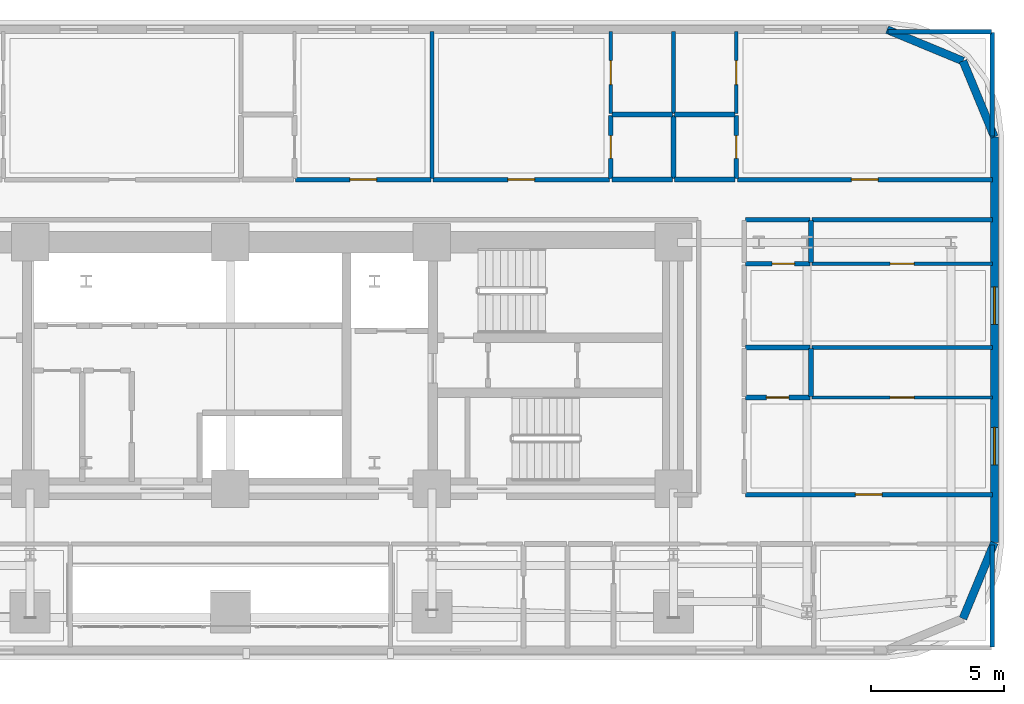
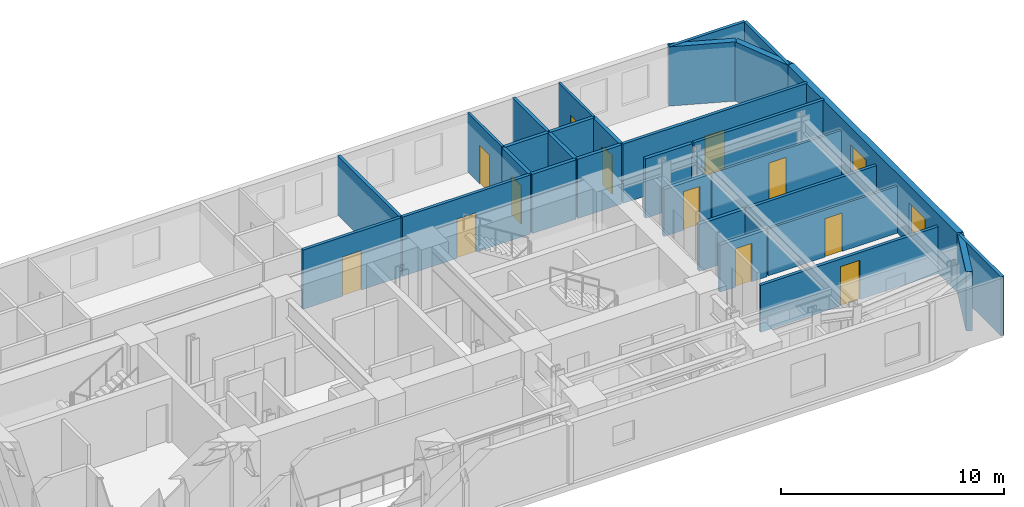
# One storey, part 11 of 16: 32 walls, 12 doors, 2 windows, 14 openings.
"""IFC4 building model written with IfcOpenShell, lengths in metres."""

import ifcopenshell
import ifcopenshell.guid

model = None  # the IFC model being written
_history = None  # IfcOwnerHistory: only IFC2X3 demands one
_inside = {}  # id of a spatial element -> (the spatial element, [elements in it])
_under = {}  # id of a project, library or spatial element -> (it, [spatial elements below it])
_declared = {}  # id of a project -> (the project, [libraries it declares])
_typed = {}  # id of a type object -> (the type object, [elements of that type])
_made_of = {}  # id of a material, layer set ... -> (it, [elements and type objects made of it])


def new_model(schema):
    """Start an empty IFC model of exactly this schema.

    Asked for "IFC4X3", IfcOpenShell would pick the latest addendum, in which some entities
    have other attributes; the version numbers below select the first issue.
    IFC2X3 requires an IfcOwnerHistory on every rooted entity: one is made here for all.
    """
    global model, _history
    if schema == "IFC4X3":
        model = ifcopenshell.file(schema_version=(4, 3, 0, 0))
    else:
        model = ifcopenshell.file(schema=schema)
    _inside.clear()
    _under.clear()
    _declared.clear()
    _typed.clear()
    _made_of.clear()
    _history = None
    if model.schema == "IFC2X3":
        org = make("IfcOrganization", Name="unknown")
        user = make(
            "IfcPersonAndOrganization",
            ThePerson=make("IfcPerson", FamilyName="unknown"),
            TheOrganization=org,
        )
        app = make(
            "IfcApplication",
            ApplicationDeveloper=org,
            Version="unknown",
            ApplicationFullName="unknown",
            ApplicationIdentifier="unknown",
        )
        _history = make(
            "IfcOwnerHistory",
            OwningUser=user,
            OwningApplication=app,
            ChangeAction="ADDED",
            CreationDate=0,
        )
    return model


def make(cls, **values):
    """One entity of the class cls with the attributes given. An attribute that is None is left unset."""
    return model.create_entity(
        cls, **{name: value for name, value in values.items() if value is not None}
    )


def rooted(cls, **values):
    """An entity with a GlobalId (a new one), such as an element, a storey or a relation."""
    return make(cls, GlobalId=ifcopenshell.guid.new(), OwnerHistory=_history, **values)


def si_unit(unit_type, name, prefix=None):
    """IfcSIUnit, for example si_unit("LENGTHUNIT", "METRE", prefix="MILLI")."""
    return make("IfcSIUnit", UnitType=unit_type, Prefix=prefix, Name=name)


def assignment(units):
    """IfcUnitAssignment: the units of a project."""
    return None if units is None else make("IfcUnitAssignment", Units=units)


def point(xyz):
    """IfcCartesianPoint."""
    return None if xyz is None else make("IfcCartesianPoint", Coordinates=xyz)


def direction(xyz):
    """IfcDirection."""
    return None if xyz is None else make("IfcDirection", DirectionRatios=xyz)


def frame(location, z_axis=None, x_axis=None):
    """IfcAxis2Placement3D, a coordinate frame: its origin and axes. An axis left out is left unset."""
    return make(
        "IfcAxis2Placement3D",
        Location=point(location),
        Axis=direction(z_axis),
        RefDirection=direction(x_axis),
    )


def frame_2d(location, x_axis=None):
    """IfcAxis2Placement2D, a coordinate frame in the plane: its origin and x axis."""
    return make(
        "IfcAxis2Placement2D", Location=point(location), RefDirection=direction(x_axis)
    )


def origin():
    """The frame at (0, 0, 0) with its axes left unset."""
    return frame((0.0, 0.0, 0.0))


def place(relative_to, where):
    """IfcLocalPlacement: puts the frame where relative to a parent placement (None: the world)."""
    return make(
        "IfcLocalPlacement", PlacementRelTo=relative_to, RelativePlacement=where
    )


def context(
    kind, dimensions, precision=None, world=None, true_north=None, identifier=None
):
    """IfcGeometricRepresentationContext, for example the 3D "Model" context."""
    return make(
        "IfcGeometricRepresentationContext",
        ContextIdentifier=identifier,
        ContextType=kind,
        CoordinateSpaceDimension=dimensions,
        Precision=precision,
        WorldCoordinateSystem=world,
        TrueNorth=true_north,
    )


def subcontext(parent, identifier, kind, view, scale=None):
    """IfcGeometricRepresentationSubContext, for example "Body" below "Model"."""
    return make(
        "IfcGeometricRepresentationSubContext",
        ContextIdentifier=identifier,
        ContextType=kind,
        ParentContext=parent,
        TargetScale=scale,
        TargetView=view,
    )


def project(units=None, contexts=None):
    """IfcProject with its units and contexts."""
    return rooted(
        "IfcProject",
        Name="project",
        RepresentationContexts=contexts,
        UnitsInContext=assignment(units),
    )


def spatial(cls, under=None, at=None, **own):
    """A site, building, storey or space (cls), placed at a placement, below another one or the project."""
    s = rooted(cls, ObjectPlacement=at, **own)
    if under is not None:
        _under.setdefault(under.id(), (under, []))[1].append(s)
    return s


def profile(cls, at=None, kind="AREA", **sizes):
    """A parametric profile (cls). Its sizes go by their IFC names, for example OverallWidth=200.0."""
    return make(cls, ProfileType=kind, Position=at, **sizes)


def rectangle(**sizes):
    """IfcRectangleProfileDef."""
    return profile("IfcRectangleProfileDef", **sizes)


def extrude(swept, where, along, depth):
    """IfcExtrudedAreaSolid: the profile swept, set in the frame where, extruded along a direction by depth."""
    return make(
        "IfcExtrudedAreaSolid",
        SweptArea=swept,
        Position=where,
        ExtrudedDirection=direction(along),
        Depth=depth,
    )


def shape(context_of_items, identifier, shape_type, items):
    """IfcShapeRepresentation: the items that make up one representation, for example the "Body"."""
    return make(
        "IfcShapeRepresentation",
        ContextOfItems=context_of_items,
        RepresentationIdentifier=identifier,
        RepresentationType=shape_type,
        Items=items,
    )


def material(Name=None, Category=None):
    """IfcMaterial."""
    return make("IfcMaterial", Name=Name, Category=Category)


def layer(
    of_material, thickness, ventilated=None, Name=None, Category=None, Priority=None
):
    """IfcMaterialLayer: one layer of a wall or slab, of a material (None: an air gap)."""
    return make(
        "IfcMaterialLayer",
        Material=of_material,
        LayerThickness=thickness,
        IsVentilated=ventilated,
        Name=Name,
        Category=Category,
        Priority=Priority,
    )


def layer_set(layers, Name=None):
    """IfcMaterialLayerSet."""
    return make("IfcMaterialLayerSet", MaterialLayers=layers, LayerSetName=Name)


def made_of(thing, what):
    """Note that an element or type object is made of a material, layer set ...; save() writes the relation."""
    if what is not None:
        _made_of.setdefault(what.id(), (what, []))[1].append(thing)
    return thing


def type_object(cls, material=None, **own):
    """A type object (cls), such as IfcWallType, which elements share."""
    return made_of(rooted(cls, **own), material)


def element(
    cls,
    number,
    at=None,
    inside=None,
    cuts=None,
    type_object=None,
    material=None,
    context=None,
    identifier="Body",
    shape_type=None,
    held_by="IfcProductDefinitionShape",
    body=None,
    shapes=None,
    **own,
):
    """One element of the class cls, such as IfcWall. Its Tag is "e" and its number.

    at: its placement. inside: the storey or other place that contains it. cuts: it is an
    opening in that element (IfcRelVoidsElement). A single representation is given by context,
    identifier, shape_type and body (its items); several are given by shapes. held_by: the class
    of the entity that holds the representations. save() writes the other relations.
    """
    e = rooted(cls, Tag="e%d" % number, ObjectPlacement=at, **own)
    if body is not None:
        shapes = [shape(context, identifier, shape_type, body)]
    if shapes is not None:
        e.Representation = make(held_by, Representations=shapes)
    if inside is not None:
        _inside.setdefault(inside.id(), (inside, []))[1].append(e)
    if cuts is not None:
        rooted(
            "IfcRelVoidsElement", RelatingBuildingElement=cuts, RelatedOpeningElement=e
        )
    if type_object is not None:
        _typed.setdefault(type_object.id(), (type_object, []))[1].append(e)
    return made_of(e, material)


def fill(opening, filler):
    """IfcRelFillsElement: the door or window that sits in an opening."""
    return rooted(
        "IfcRelFillsElement",
        RelatingOpeningElement=opening,
        RelatedBuildingElement=filler,
    )


def aggregate(whole, parts):
    """IfcRelAggregates: a whole, such as a stair, and the parts it consists of."""
    return rooted("IfcRelAggregates", RelatingObject=whole, RelatedObjects=parts)


def save(model, path):
    """Write the relations noted so far, then the file.

    IfcRelAggregates (storeys below a building ...), IfcRelContainedInSpatialStructure (elements
    in a storey), IfcRelDefinesByType, IfcRelAssociatesMaterial and IfcRelDeclares: one each for
    every whole, place, type object, material and project.
    """
    for whole, parts in _under.values():
        aggregate(whole, parts)
    for where, things in _inside.values():
        rooted(
            "IfcRelContainedInSpatialStructure",
            RelatedElements=things,
            RelatingStructure=where,
        )
    for kind, things in _typed.values():
        rooted("IfcRelDefinesByType", RelatedObjects=things, RelatingType=kind)
    for what, things in _made_of.values():
        rooted("IfcRelAssociatesMaterial", RelatedObjects=things, RelatingMaterial=what)
    for by, libraries in _declared.values():
        rooted("IfcRelDeclares", RelatingContext=by, RelatedDefinitions=libraries)
    model.write(path)


model = new_model("IFC4")

# Units and contexts
model_context = context("Model", 3, precision=1e-05, world=origin(), true_north=direction((0.0, 1.0)))
body_context = subcontext(model_context, "Body", "Model", "MODEL_VIEW")
ifc_project = project(units=[si_unit("LENGTHUNIT", "METRE"), si_unit("AREAUNIT", "SQUARE_METRE"), si_unit("VOLUMEUNIT", "CUBIC_METRE"), si_unit("PLANEANGLEUNIT", "RADIAN"), si_unit("MASSUNIT", "GRAM", prefix="KILO")], contexts=[model_context])

# Site, building, storey
site_placement = place(None, origin())
site = spatial("IfcSite", under=ifc_project, at=site_placement, CompositionType="ELEMENT")
building_placement = place(site_placement, origin())
building = spatial("IfcBuilding", under=site, at=building_placement, Name="Zarnavel Station Tower", CompositionType="ELEMENT")
storey_placement = place(building_placement, frame((0.0, 0.0, 32.5)))
storey = spatial("IfcBuildingStorey", under=building, at=storey_placement, Name="L08", CompositionType="ELEMENT", Elevation=32.5)

# Wall
ifc_material_1 = material(Name="Precast concrete C45/55 (Dark Basalt Finish)", Category="masonry")
ifc_layer_1 = layer(ifc_material_1, 0.300048828125)
ifc_layer_set_1 = layer_set([ifc_layer_1], Name="EW_BASALT_300")
wall_type_1 = type_object("IfcWallType", Name="EW_BASALT_300", PredefinedType="SOLIDWALL", material=ifc_layer_set_1)
wall_1_placement = place(storey_placement, frame((57.419921875, 25.800048828125, 0.0), z_axis=(0.0, 0.0, 1.0), x_axis=(-0.382636798336, -0.92389884758, 0.0)))
element("IfcWall", 1, at=wall_1_placement, inside=storey, type_object=wall_type_1, Name="L08 Exterior Basalt Masonry Frame Wall 02", PredefinedType="SOLIDWALL", context=body_context, shape_type="SweptSolid", body=[
    extrude(rectangle(XDim=3.07666015625, YDim=0.300048828125, at=frame_2d((1.538330078125, 0.0))), origin(), (0.0, 0.0, 1.0), 3.239990234375),
])

# Wall, openings, windows
wall_2_placement = place(storey_placement, frame((57.419921875, 41.0, 0.0), z_axis=(0.0, 0.0, 1.0), x_axis=(0.0, -1.0, 0.0)))
wall_2 = element("IfcWall", 2, at=wall_2_placement, inside=storey, type_object=wall_type_1, Name="L08 Exterior Basalt Masonry Frame Wall 03", PredefinedType="SOLIDWALL", context=body_context, shape_type="SweptSolid", body=[
    extrude(rectangle(XDim=15.199951171875, YDim=0.300048828125, at=frame_2d((7.60009765625, 0.0))), origin(), (0.0, 0.0, 1.0), 3.239990234375),
])
opening_1_placement = place(wall_2_placement, frame((10.882080078125, 0.0, 0.47998046875)))
opening_1 = element("IfcOpeningElement", 3, at=opening_1_placement, cuts=wall_2, Name="Opening WN01", PredefinedType="OPENING", context=body_context, shape_type="SweptSolid", body=[
    extrude(rectangle(XDim=1.39990234375, YDim=1.800048828125, at=frame_2d((0.699951171875, 0.89990234375))), frame((0.0, 0.159912109375, 0.0), z_axis=(0.0, -1.0, 0.0), x_axis=(1.0, 0.0, 0.0)), (0.0, 0.0, 1.0), 0.320068359375),
])
opening_2_placement = place(wall_2_placement, frame((5.62060546875, 0.0, 0.47998046875)))
opening_2 = element("IfcOpeningElement", 4, at=opening_2_placement, cuts=wall_2, Name="Opening WN01", PredefinedType="OPENING", context=body_context, shape_type="SweptSolid", body=[
    extrude(rectangle(XDim=1.39990234375, YDim=1.800048828125, at=frame_2d((0.699951171875, 0.89990234375))), frame((0.0, 0.159912109375, 0.0), z_axis=(0.0, -1.0, 0.0), x_axis=(1.0, 0.0, 0.0)), (0.0, 0.0, 1.0), 0.320068359375),
])
ifc_material_2 = material(Name="Thermally Broken Black Aluminium and Low-E Dark Glass", Category="aluminium")
window_type = type_object("IfcWindowType", Name="WN_1400x1800", PartitioningType="DOUBLE_PANEL_VERTICAL", PredefinedType="WINDOW", material=ifc_material_2)
window_1_placement = place(opening_1_placement, origin())
window_1 = element("IfcWindow", 5, at=window_1_placement, inside=storey, type_object=window_type, Name="L08 Recessed Facade Window 01", OverallHeight=1.800048828125, OverallWidth=1.39990234375, PartitioningType="SINGLE_PANEL", PredefinedType="WINDOW", context=body_context, shape_type="SweptSolid", body=[
    extrude(rectangle(XDim=1.39990234375, YDim=1.800048828125, at=frame_2d((0.699951171875, 0.89990234375))), frame((0.0, 0.030029296875, 0.0), z_axis=(0.0, -1.0, 0.0), x_axis=(1.0, 0.0, 0.0)), (0.0, 0.0, 1.0), 0.06005859375),
])
fill(opening_1, window_1)
window_2_placement = place(opening_2_placement, origin())
window_2 = element("IfcWindow", 6, at=window_2_placement, inside=storey, type_object=window_type, Name="L08 Recessed Facade Window 02", OverallHeight=1.800048828125, OverallWidth=1.39990234375, PartitioningType="SINGLE_PANEL", PredefinedType="WINDOW", context=body_context, shape_type="SweptSolid", body=[
    extrude(rectangle(XDim=1.39990234375, YDim=1.800048828125, at=frame_2d((0.699951171875, 0.89990234375))), frame((0.0, 0.030029296875, 0.0), z_axis=(0.0, -1.0, 0.0), x_axis=(1.0, 0.0, 0.0)), (0.0, 0.0, 1.0), 0.06005859375),
])
fill(opening_2, window_2)

# Walls
wall_3_placement = place(storey_placement, frame((56.24267578125, 43.842529296875, 0.0), z_axis=(0.0, 0.0, 1.0), x_axis=(0.382636798336, -0.92389884758, 0.0)))
element("IfcWall", 7, at=wall_3_placement, inside=storey, type_object=wall_type_1, Name="L08 Exterior Basalt Masonry Frame Wall 04", PredefinedType="SOLIDWALL", context=body_context, shape_type="SweptSolid", body=[
    extrude(rectangle(XDim=3.07666015625, YDim=0.300048828125, at=frame_2d((1.538330078125, 0.0))), origin(), (0.0, 0.0, 1.0), 3.239990234375),
])
wall_4_placement = place(storey_placement, frame((53.39990234375, 45.02001953125, 0.0), z_axis=(0.0, 0.0, 1.0), x_axis=(0.923882414032, -0.382676475685, 0.0)))
element("IfcWall", 8, at=wall_4_placement, inside=storey, type_object=wall_type_1, Name="L08 Exterior Basalt Masonry Frame Wall 05", PredefinedType="SOLIDWALL", context=body_context, shape_type="SweptSolid", body=[
    extrude(rectangle(XDim=3.076904296875, YDim=0.300048828125, at=frame_2d((1.53857421875, 0.0))), origin(), (0.0, 0.0, 1.0), 3.239990234375),
])

# Wall, opening, door
ifc_material_3 = material(Name="Gypsum Twin-Stud Acoustic Fire Partition", Category="concrete")
ifc_layer_2 = layer(ifc_material_3, 0.159912109375)
ifc_layer_set_2 = layer_set([ifc_layer_2], Name="PT_DEMISE_160")
wall_type_2 = type_object("IfcWallType", Name="PT_DEMISE_160", PredefinedType="PARTITIONING", material=ifc_layer_set_2)
wall_5_placement = place(storey_placement, frame((48.090087890625, 27.60009765625, 0.0), z_axis=(0.0, 0.0, 1.0), x_axis=(1.0, 0.0, 0.0)))
wall_5 = element("IfcWall", 9, at=wall_5_placement, inside=storey, type_object=wall_type_2, Name="L08 Partition COR-S-FNE1R", PredefinedType="PARTITIONING", context=body_context, shape_type="SweptSolid", body=[
    extrude(rectangle(XDim=9.25, YDim=0.159912109375, at=frame_2d((4.625, 0.0))), origin(), (0.0, 0.0, 1.0), 2.570068359375),
])
opening_3_placement = place(wall_5_placement, frame((4.125, 0.0, 0.0)))
opening_3 = element("IfcOpeningElement", 10, at=opening_3_placement, cuts=wall_5, Name="Opening FD02", PredefinedType="OPENING", context=body_context, shape_type="SweptSolid", body=[
    extrude(rectangle(XDim=1.0, YDim=2.14990234375, at=frame_2d((0.5, 1.074951171875))), frame((0.0, 0.08984375, 0.0), z_axis=(0.0, -1.0, 0.0), x_axis=(1.0, 0.0, 0.0)), (0.0, 0.0, 1.0), 0.179931640625),
])
ifc_material_4 = material(Name="Painted Galvanised Steel and Hardwood Leaf", Category="steel")
door_type_1 = type_object("IfcDoorType", Name="ID_ENTRY_1000", OperationType="NOTDEFINED", PredefinedType="DOOR", material=ifc_material_4)
door_1_placement = place(opening_3_placement, origin())
door_1 = element("IfcDoor", 11, at=door_1_placement, inside=storey, type_object=door_type_1, Name="L08 Door COR-S-FNE1R", OperationType="SINGLE_SWING_RIGHT", OverallHeight=2.14990234375, OverallWidth=1.0, PredefinedType="DOOR", context=body_context, shape_type="SweptSolid", body=[
    extrude(rectangle(XDim=1.0, YDim=2.14990234375, at=frame_2d((0.5, 1.074951171875))), frame((0.0, 0.02490234375, 0.0), z_axis=(0.0, -1.0, 0.0), x_axis=(1.0, 0.0, 0.0)), (0.0, 0.0, 1.0), 0.050048828125),
])
fill(opening_3, door_1)

# Wall
wall_6_placement = place(storey_placement, frame((50.590087890625, 37.89990234375, 0.0), z_axis=(0.0, 0.0, 1.0), x_axis=(1.0, 0.0, 0.0)))
element("IfcWall", 12, at=wall_6_placement, inside=storey, type_object=wall_type_2, Name="L08 Partition COR-N-FNE2S", PredefinedType="PARTITIONING", context=body_context, shape_type="SweptSolid", body=[
    extrude(rectangle(XDim=6.75, YDim=0.159912109375, at=frame_2d((3.375, 0.0))), origin(), (0.0, 0.0, 1.0), 3.239990234375),
])

# Wall, opening, door
wall_7_placement = place(storey_placement, frame((31.240966796875, 39.39990234375, 0.0), z_axis=(0.0, 0.0, 1.0), x_axis=(1.0, 0.0, 0.0)))
wall_7 = element("IfcWall", 13, at=wall_7_placement, inside=storey, type_object=wall_type_2, Name="L08 Partition COR-N-HN3R", PredefinedType="PARTITIONING", context=body_context, shape_type="SweptSolid", body=[
    extrude(rectangle(XDim=5.069091796875, YDim=0.159912109375, at=frame_2d((2.53466796875, 0.0))), origin(), (0.0, 0.0, 1.0), 3.239990234375),
])
opening_4_placement = place(wall_7_placement, frame((2.034423828125, 0.0, 0.0)))
opening_4 = element("IfcOpeningElement", 14, at=opening_4_placement, cuts=wall_7, Name="Opening FD02", PredefinedType="OPENING", context=body_context, shape_type="SweptSolid", body=[
    extrude(rectangle(XDim=1.0, YDim=2.14990234375, at=frame_2d((0.5, 1.074951171875))), frame((0.0, 0.08984375, 0.0), z_axis=(0.0, -1.0, 0.0), x_axis=(1.0, 0.0, 0.0)), (0.0, 0.0, 1.0), 0.179931640625),
])
door_2_placement = place(opening_4_placement, origin())
door_2 = element("IfcDoor", 15, at=door_2_placement, inside=storey, type_object=door_type_1, Name="L08 Door COR-N-HN3R", OperationType="SINGLE_SWING_RIGHT", OverallHeight=2.14990234375, OverallWidth=1.0, PredefinedType="DOOR", context=body_context, shape_type="SweptSolid", body=[
    extrude(rectangle(XDim=1.0, YDim=2.14990234375, at=frame_2d((0.5, 1.074951171875))), frame((0.0, 0.02490234375, 0.0), z_axis=(0.0, -1.0, 0.0), x_axis=(1.0, 0.0, 0.0)), (0.0, 0.0, 1.0), 0.050048828125),
])
fill(opening_4, door_2)

wall_8_placement = place(storey_placement, frame((36.389892578125, 39.39990234375, 0.0), z_axis=(0.0, 0.0, 1.0), x_axis=(1.0, 0.0, 0.0)))
wall_8 = element("IfcWall", 16, at=wall_8_placement, inside=storey, type_object=wall_type_2, Name="L08 Partition COR-N-HN4R", PredefinedType="PARTITIONING", context=body_context, shape_type="SweptSolid", body=[
    extrude(rectangle(XDim=6.6201171875, YDim=0.159912109375, at=frame_2d((3.31005859375, 0.0))), origin(), (0.0, 0.0, 1.0), 3.239990234375),
])
opening_5_placement = place(wall_8_placement, frame((2.81005859375, 0.0, 0.0)))
opening_5 = element("IfcOpeningElement", 17, at=opening_5_placement, cuts=wall_8, Name="Opening FD02", PredefinedType="OPENING", context=body_context, shape_type="SweptSolid", body=[
    extrude(rectangle(XDim=1.0, YDim=2.14990234375, at=frame_2d((0.5, 1.074951171875))), frame((0.0, 0.08984375, 0.0), z_axis=(0.0, -1.0, 0.0), x_axis=(1.0, 0.0, 0.0)), (0.0, 0.0, 1.0), 0.179931640625),
])
door_3_placement = place(opening_5_placement, origin())
door_3 = element("IfcDoor", 18, at=door_3_placement, inside=storey, type_object=door_type_1, Name="L08 Door COR-N-HN4R", OperationType="SINGLE_SWING_LEFT", OverallHeight=2.14990234375, OverallWidth=1.0, PredefinedType="DOOR", context=body_context, shape_type="SweptSolid", body=[
    extrude(rectangle(XDim=1.0, YDim=2.14990234375, at=frame_2d((0.5, 1.074951171875))), frame((0.0, 0.02490234375, 0.0), z_axis=(0.0, -1.0, 0.0), x_axis=(1.0, 0.0, 0.0)), (0.0, 0.0, 1.0), 0.050048828125),
])
fill(opening_5, door_3)

wall_9_placement = place(storey_placement, frame((47.7900390625, 39.39990234375, 0.0), z_axis=(0.0, 0.0, 1.0), x_axis=(1.0, 0.0, 0.0)))
wall_9 = element("IfcWall", 19, at=wall_9_placement, inside=storey, type_object=wall_type_2, Name="L08 Partition COR-N-HN5R", PredefinedType="PARTITIONING", context=body_context, shape_type="SweptSolid", body=[
    extrude(rectangle(XDim=9.550048828125, YDim=0.159912109375, at=frame_2d((4.77490234375, 0.0))), origin(), (0.0, 0.0, 1.0), 3.239990234375),
])
opening_6_placement = place(wall_9_placement, frame((4.27490234375, 0.0, 0.0)))
opening_6 = element("IfcOpeningElement", 20, at=opening_6_placement, cuts=wall_9, Name="Opening FD02", PredefinedType="OPENING", context=body_context, shape_type="SweptSolid", body=[
    extrude(rectangle(XDim=1.0, YDim=2.14990234375, at=frame_2d((0.5, 1.074951171875))), frame((0.0, 0.08984375, 0.0), z_axis=(0.0, -1.0, 0.0), x_axis=(1.0, 0.0, 0.0)), (0.0, 0.0, 1.0), 0.179931640625),
])
door_4_placement = place(opening_6_placement, origin())
door_4 = element("IfcDoor", 21, at=door_4_placement, inside=storey, type_object=door_type_1, Name="L08 Door COR-N-HN5R", OperationType="SINGLE_SWING_RIGHT", OverallHeight=2.14990234375, OverallWidth=1.0, PredefinedType="DOOR", context=body_context, shape_type="SweptSolid", body=[
    extrude(rectangle(XDim=1.0, YDim=2.14990234375, at=frame_2d((0.5, 1.074951171875))), frame((0.0, 0.02490234375, 0.0), z_axis=(0.0, -1.0, 0.0), x_axis=(1.0, 0.0, 0.0)), (0.0, 0.0, 1.0), 0.050048828125),
])
fill(opening_6, door_4)

# Walls
wall_10_placement = place(storey_placement, frame((50.590087890625, 33.10888671875, 0.0), z_axis=(0.0, 0.0, 1.0), x_axis=(1.0, 0.0, 0.0)))
element("IfcWall", 22, at=wall_10_placement, inside=storey, type_object=wall_type_2, Name="L08 Partition FNE1S-FNE2R", PredefinedType="PARTITIONING", context=body_context, shape_type="SweptSolid", body=[
    extrude(rectangle(XDim=6.75, YDim=0.159912109375, at=frame_2d((3.375, 0.0))), origin(), (0.0, 0.0, 1.0), 2.570068359375),
])
wall_11_placement = place(storey_placement, frame((36.35009765625, 39.43994140625, 0.0), z_axis=(0.0, 0.0, 1.0), x_axis=(0.0, 1.0, 0.0)))
element("IfcWall", 23, at=wall_11_placement, inside=storey, type_object=wall_type_2, Name="L08 Partition HN3R-HN4R", PredefinedType="PARTITIONING", context=body_context, shape_type="SweptSolid", body=[
    extrude(rectangle(XDim=5.5, YDim=0.159912109375, at=frame_2d((2.75, 0.0))), origin(), (0.0, 0.0, 1.0), 3.239990234375),
])
wall_12_placement = place(storey_placement, frame((45.39990234375, 41.8779296875, 0.0), z_axis=(0.0, 0.0, 1.0), x_axis=(0.0, 1.0, 0.0)))
element("IfcWall", 24, at=wall_12_placement, inside=storey, type_object=wall_type_2, Name="L08 Partition HN4S-HN5S", PredefinedType="PARTITIONING", context=body_context, shape_type="SweptSolid", body=[
    extrude(rectangle(XDim=3.06201171875, YDim=0.159912109375, at=frame_2d((1.531005859375, 0.0))), origin(), (0.0, 0.0, 1.0), 3.239990234375),
])
wall_13_placement = place(storey_placement, frame((53.429931640625, 44.93994140625, 0.0), z_axis=(0.0, 0.0, 1.0), x_axis=(1.0, 0.0, 0.0)))
element("IfcWall", 25, at=wall_13_placement, inside=storey, type_object=wall_type_2, Name="L08 Enclosure Wall HN5R", PredefinedType="PARTITIONING", context=body_context, shape_type="SweptSolid", body=[
    extrude(rectangle(XDim=3.880126953125, YDim=0.159912109375, at=frame_2d((1.93994140625, 0.0))), origin(), (0.0, 0.0, 1.0), 3.239990234375),
])
wall_14_placement = place(storey_placement, frame((57.340087890625, 41.030029296875, 0.0), z_axis=(0.0, 0.0, 1.0), x_axis=(0.0, 1.0, 0.0)))
element("IfcWall", 26, at=wall_14_placement, inside=storey, type_object=wall_type_2, Name="L08 Enclosure Wall HN5R", PredefinedType="PARTITIONING", context=body_context, shape_type="SweptSolid", body=[
    extrude(rectangle(XDim=3.8798828125, YDim=0.159912109375, at=frame_2d((1.93994140625, 0.0))), origin(), (0.0, 0.0, 1.0), 3.239990234375),
])
wall_15_placement = place(storey_placement, frame((57.340087890625, 21.889892578125, 0.0), z_axis=(0.0, 0.0, 1.0), x_axis=(0.0, 1.0, 0.0)))
element("IfcWall", 27, at=wall_15_placement, inside=storey, type_object=wall_type_2, Name="L08 Enclosure Wall HE3R", PredefinedType="PARTITIONING", context=body_context, shape_type="SweptSolid", body=[
    extrude(rectangle(XDim=3.830078125, YDim=0.159912109375, at=frame_2d((1.9150390625, 0.0))), origin(), (0.0, 0.0, 1.0), 3.239990234375),
])

# Wall, opening, door
ifc_material_5 = material(Name="Gypsum Metal-Stud Interior Partition", Category="concrete")
ifc_layer_3 = layer(ifc_material_5, 0.1201171875)
ifc_layer_set_3 = layer_set([ifc_layer_3], Name="PT_ROOM_120")
wall_type_3 = type_object("IfcWallType", Name="PT_ROOM_120", PredefinedType="PARTITIONING", material=ifc_layer_set_3)
wall_16_placement = place(storey_placement, frame((50.590087890625, 31.236083984375, 0.0), z_axis=(0.0, 0.0, 1.0), x_axis=(1.0, 0.0, 0.0)))
wall_16 = element("IfcWall", 28, at=wall_16_placement, inside=storey, type_object=wall_type_3, Name="L08 Partition FNE1R-FNE1S", PredefinedType="PARTITIONING", context=body_context, shape_type="SweptSolid", body=[
    extrude(rectangle(XDim=6.75, YDim=0.1201171875, at=frame_2d((3.375, 0.0))), origin(), (0.0, 0.0, 1.0), 2.570068359375),
])
opening_7_placement = place(wall_16_placement, frame((2.925048828125, 0.0, 0.0)))
opening_7 = element("IfcOpeningElement", 29, at=opening_7_placement, cuts=wall_16, Name="Opening ID01", PredefinedType="OPENING", context=body_context, shape_type="SweptSolid", body=[
    extrude(rectangle(XDim=0.89990234375, YDim=2.10009765625, at=frame_2d((0.449951171875, 1.050048828125))), frame((0.0, 0.070068359375, 0.0), z_axis=(0.0, -1.0, 0.0), x_axis=(1.0, 0.0, 0.0)), (0.0, 0.0, 1.0), 0.14013671875),
])
ifc_material_6 = material(Name="Painted Galvanised Steel and Hardwood Leaf", Category="steel")
door_type_2 = type_object("IfcDoorType", Name="ID_ROOM_900", OperationType="NOTDEFINED", PredefinedType="DOOR", material=ifc_material_6)
door_5_placement = place(opening_7_placement, origin())
door_5 = element("IfcDoor", 30, at=door_5_placement, inside=storey, type_object=door_type_2, Name="L08 Door FNE1R-FNE1S", OperationType="SINGLE_SWING_RIGHT", OverallHeight=2.10009765625, OverallWidth=0.89990234375, PredefinedType="DOOR", context=body_context, shape_type="SweptSolid", body=[
    extrude(rectangle(XDim=0.89990234375, YDim=2.10009765625, at=frame_2d((0.449951171875, 1.050048828125))), frame((0.0, 0.02490234375, 0.0), z_axis=(0.0, -1.0, 0.0), x_axis=(1.0, 0.0, 0.0)), (0.0, 0.0, 1.0), 0.050048828125),
])
fill(opening_7, door_5)

wall_17_placement = place(storey_placement, frame((50.590087890625, 36.25, 0.0), z_axis=(0.0, 0.0, 1.0), x_axis=(1.0, 0.0, 0.0)))
wall_17 = element("IfcWall", 31, at=wall_17_placement, inside=storey, type_object=wall_type_3, Name="L08 Partition FNE2R-FNE2S", PredefinedType="PARTITIONING", context=body_context, shape_type="SweptSolid", body=[
    extrude(rectangle(XDim=6.75, YDim=0.1201171875, at=frame_2d((3.375, 0.0))), origin(), (0.0, 0.0, 1.0), 2.570068359375),
])
opening_8_placement = place(wall_17_placement, frame((2.925048828125, 0.0, 0.0)))
opening_8 = element("IfcOpeningElement", 32, at=opening_8_placement, cuts=wall_17, Name="Opening ID01", PredefinedType="OPENING", context=body_context, shape_type="SweptSolid", body=[
    extrude(rectangle(XDim=0.89990234375, YDim=2.10009765625, at=frame_2d((0.449951171875, 1.050048828125))), frame((0.0, 0.070068359375, 0.0), z_axis=(0.0, -1.0, 0.0), x_axis=(1.0, 0.0, 0.0)), (0.0, 0.0, 1.0), 0.14013671875),
])
door_6_placement = place(opening_8_placement, origin())
door_6 = element("IfcDoor", 33, at=door_6_placement, inside=storey, type_object=door_type_2, Name="L08 Door FNE2R-FNE2S", OperationType="SINGLE_SWING_RIGHT", OverallHeight=2.10009765625, OverallWidth=0.89990234375, PredefinedType="DOOR", context=body_context, shape_type="SweptSolid", body=[
    extrude(rectangle(XDim=0.89990234375, YDim=2.10009765625, at=frame_2d((0.449951171875, 1.050048828125))), frame((0.0, 0.02490234375, 0.0), z_axis=(0.0, -1.0, 0.0), x_axis=(1.0, 0.0, 0.0)), (0.0, 0.0, 1.0), 0.050048828125),
])
fill(opening_8, door_6)

wall_18_placement = place(storey_placement, frame((43.050048828125, 41.8779296875, 0.0), z_axis=(0.0, 0.0, 1.0), x_axis=(0.0, 1.0, 0.0)))
wall_18 = element("IfcWall", 34, at=wall_18_placement, inside=storey, type_object=wall_type_3, Name="L08 Partition HN4R-HN4S", PredefinedType="PARTITIONING", context=body_context, shape_type="SweptSolid", body=[
    extrude(rectangle(XDim=3.06201171875, YDim=0.1201171875, at=frame_2d((1.531005859375, 0.0))), origin(), (0.0, 0.0, 1.0), 3.239990234375),
])
opening_9_placement = place(wall_18_placement, frame((1.0810546875, 0.0, 0.0)))
opening_9 = element("IfcOpeningElement", 35, at=opening_9_placement, cuts=wall_18, Name="Opening ID01", PredefinedType="OPENING", context=body_context, shape_type="SweptSolid", body=[
    extrude(rectangle(XDim=0.89990234375, YDim=2.10009765625, at=frame_2d((0.449951171875, 1.050048828125))), frame((0.0, 0.070068359375, 0.0), z_axis=(0.0, -1.0, 0.0), x_axis=(1.0, 0.0, 0.0)), (0.0, 0.0, 1.0), 0.14013671875),
])
door_7_placement = place(opening_9_placement, origin())
door_7 = element("IfcDoor", 36, at=door_7_placement, inside=storey, type_object=door_type_2, Name="L08 Door HN4R-HN4S", OperationType="SINGLE_SWING_RIGHT", OverallHeight=2.10009765625, OverallWidth=0.89990234375, PredefinedType="DOOR", context=body_context, shape_type="SweptSolid", body=[
    extrude(rectangle(XDim=0.89990234375, YDim=2.10009765625, at=frame_2d((0.449951171875, 1.050048828125))), frame((0.0, 0.02490234375, 0.0), z_axis=(0.0, -1.0, 0.0), x_axis=(1.0, 0.0, 0.0)), (0.0, 0.0, 1.0), 0.050048828125),
])
fill(opening_9, door_7)

wall_19_placement = place(storey_placement, frame((47.75, 41.8779296875, 0.0), z_axis=(0.0, 0.0, 1.0), x_axis=(0.0, 1.0, 0.0)))
wall_19 = element("IfcWall", 37, at=wall_19_placement, inside=storey, type_object=wall_type_3, Name="L08 Partition HN5R-HN5S", PredefinedType="PARTITIONING", context=body_context, shape_type="SweptSolid", body=[
    extrude(rectangle(XDim=3.06201171875, YDim=0.1201171875, at=frame_2d((1.531005859375, 0.0))), origin(), (0.0, 0.0, 1.0), 3.239990234375),
])
opening_10_placement = place(wall_19_placement, frame((1.0810546875, 0.0, 0.0)))
opening_10 = element("IfcOpeningElement", 38, at=opening_10_placement, cuts=wall_19, Name="Opening ID01", PredefinedType="OPENING", context=body_context, shape_type="SweptSolid", body=[
    extrude(rectangle(XDim=0.89990234375, YDim=2.10009765625, at=frame_2d((0.449951171875, 1.050048828125))), frame((0.0, 0.070068359375, 0.0), z_axis=(0.0, -1.0, 0.0), x_axis=(1.0, 0.0, 0.0)), (0.0, 0.0, 1.0), 0.14013671875),
])
door_8_placement = place(opening_10_placement, origin())
door_8 = element("IfcDoor", 39, at=door_8_placement, inside=storey, type_object=door_type_2, Name="L08 Door HN5R-HN5S", OperationType="SINGLE_SWING_RIGHT", OverallHeight=2.10009765625, OverallWidth=0.89990234375, PredefinedType="DOOR", context=body_context, shape_type="SweptSolid", body=[
    extrude(rectangle(XDim=0.89990234375, YDim=2.10009765625, at=frame_2d((0.449951171875, 1.050048828125))), frame((0.0, 0.02490234375, 0.0), z_axis=(0.0, -1.0, 0.0), x_axis=(1.0, 0.0, 0.0)), (0.0, 0.0, 1.0), 0.050048828125),
])
fill(opening_10, door_8)

# Walls
ifc_material_7 = material(Name="Moisture-Resistant Plumbing Chase Wall", Category="concrete")
ifc_layer_4 = layer(ifc_material_7, 0.179931640625)
ifc_layer_set_4 = layer_set([ifc_layer_4], Name="PW_PLUMB_180")
wall_type_4 = type_object("IfcWallType", Name="PW_PLUMB_180", PredefinedType="PLUMBINGWALL", material=ifc_layer_set_4)
wall_20_placement = place(storey_placement, frame((48.090087890625, 37.89990234375, 0.0), z_axis=(0.0, 0.0, 1.0), x_axis=(1.0, 0.0, 0.0)))
element("IfcWall", 40, at=wall_20_placement, inside=storey, type_object=wall_type_4, Name="L08 Partition COR-N-FNE2B", PredefinedType="PLUMBINGWALL", context=body_context, shape_type="SweptSolid", body=[
    extrude(rectangle(XDim=2.419921875, YDim=0.179931640625, at=frame_2d((1.2099609375, 0.0))), origin(), (0.0, 0.0, 1.0), 3.239990234375),
])
for number, where, z_axis, x_axis, name in (
    (41, (43.090087890625, 39.39990234375, 0.0), (0.0, 0.0, 1.0), (1.0, 0.0, 0.0), "L08 Partition COR-N-HN4B"),
    (42, (45.43994140625, 39.39990234375, 0.0), (0.0, 0.0, 1.0), (1.0, 0.0, 0.0), "L08 Partition COR-N-HN5B"),
):
    element("IfcWall", number, at=place(storey_placement, frame(where, z_axis=z_axis, x_axis=x_axis)), inside=storey, type_object=wall_type_4, Name=name, PredefinedType="PLUMBINGWALL", context=body_context, shape_type="SweptSolid", body=[
        extrude(rectangle(XDim=2.27001953125, YDim=0.179931640625, at=frame_2d((1.135009765625, 0.0))), origin(), (0.0, 0.0, 1.0), 3.239990234375),
    ])

# Wall, opening, door
wall_21_placement = place(storey_placement, frame((48.090087890625, 31.236083984375, 0.0), z_axis=(0.0, 0.0, 1.0), x_axis=(1.0, 0.0, 0.0)))
wall_21 = element("IfcWall", 43, at=wall_21_placement, inside=storey, type_object=wall_type_4, Name="L08 Partition FNE1R-FNE1B", PredefinedType="PLUMBINGWALL", context=body_context, shape_type="SweptSolid", body=[
    extrude(rectangle(XDim=2.419921875, YDim=0.179931640625, at=frame_2d((1.2099609375, 0.0))), origin(), (0.0, 0.0, 1.0), 2.570068359375),
])
opening_11_placement = place(wall_21_placement, frame((0.784912109375, 0.0, 0.0)))
opening_11 = element("IfcOpeningElement", 44, at=opening_11_placement, cuts=wall_21, Name="Opening ID02", PredefinedType="OPENING", context=body_context, shape_type="SweptSolid", body=[
    extrude(rectangle(XDim=0.85009765625, YDim=2.10009765625, at=frame_2d((0.425048828125, 1.050048828125))), frame((0.0, 0.099853515625, 0.0), z_axis=(0.0, -1.0, 0.0), x_axis=(1.0, 0.0, 0.0)), (0.0, 0.0, 1.0), 0.199951171875),
])
ifc_material_8 = material(Name="Painted Galvanised Steel and Hardwood Leaf", Category="steel")
door_type_3 = type_object("IfcDoorType", Name="ID_BATH_850", OperationType="NOTDEFINED", PredefinedType="DOOR", material=ifc_material_8)
door_9_placement = place(opening_11_placement, origin())
door_9 = element("IfcDoor", 45, at=door_9_placement, inside=storey, type_object=door_type_3, Name="L08 Door FNE1R-FNE1B", OperationType="SINGLE_SWING_LEFT", OverallHeight=2.10009765625, OverallWidth=0.85009765625, PredefinedType="DOOR", context=body_context, shape_type="SweptSolid", body=[
    extrude(rectangle(XDim=0.85009765625, YDim=2.10009765625, at=frame_2d((0.425048828125, 1.050048828125))), frame((0.0, 0.02490234375, 0.0), z_axis=(0.0, -1.0, 0.0), x_axis=(1.0, 0.0, 0.0)), (0.0, 0.0, 1.0), 0.050048828125),
])
fill(opening_11, door_9)

# Walls
wall_22_placement = place(storey_placement, frame((50.550048828125, 31.27587890625, 0.0), z_axis=(0.0, 0.0, 1.0), x_axis=(0.0, 1.0, 0.0)))
element("IfcWall", 46, at=wall_22_placement, inside=storey, type_object=wall_type_4, Name="L08 Partition FNE1B-FNE1S", PredefinedType="PLUMBINGWALL", context=body_context, shape_type="SweptSolid", body=[
    extrude(rectangle(XDim=1.793212890625, YDim=0.179931640625, at=frame_2d((0.896484375, 0.0))), origin(), (0.0, 0.0, 1.0), 2.570068359375),
])
wall_23_placement = place(storey_placement, frame((48.090087890625, 33.10888671875, 0.0), z_axis=(0.0, 0.0, 1.0), x_axis=(1.0, 0.0, 0.0)))
element("IfcWall", 47, at=wall_23_placement, inside=storey, type_object=wall_type_4, Name="L08 Partition FNE1B-FNE2R", PredefinedType="PLUMBINGWALL", context=body_context, shape_type="SweptSolid", body=[
    extrude(rectangle(XDim=2.419921875, YDim=0.179931640625, at=frame_2d((1.2099609375, 0.0))), origin(), (0.0, 0.0, 1.0), 2.570068359375),
])

# Wall, opening, door
wall_24_placement = place(storey_placement, frame((50.510009765625, 36.25, 0.0), z_axis=(0.0, 0.0, 1.0), x_axis=(-1.0, 0.0, 0.0)))
wall_24 = element("IfcWall", 48, at=wall_24_placement, inside=storey, type_object=wall_type_4, Name="L08 Partition FNE2R-FNE2B", PredefinedType="PLUMBINGWALL", context=body_context, shape_type="SweptSolid", body=[
    extrude(rectangle(XDim=2.419921875, YDim=0.179931640625, at=frame_2d((1.2099609375, 0.0))), origin(), (0.0, 0.0, 1.0), 2.570068359375),
])
opening_12_placement = place(wall_24_placement, frame((0.570068359375, 0.0, 0.0)))
opening_12 = element("IfcOpeningElement", 49, at=opening_12_placement, cuts=wall_24, Name="Opening ID02", PredefinedType="OPENING", context=body_context, shape_type="SweptSolid", body=[
    extrude(rectangle(XDim=0.85009765625, YDim=2.10009765625, at=frame_2d((0.425048828125, 1.050048828125))), frame((0.0, 0.099853515625, 0.0), z_axis=(0.0, -1.0, 0.0), x_axis=(1.0, 0.0, 0.0)), (0.0, 0.0, 1.0), 0.199951171875),
])
door_10_placement = place(opening_12_placement, origin())
door_10 = element("IfcDoor", 50, at=door_10_placement, inside=storey, type_object=door_type_3, Name="L08 Door FNE2R-FNE2B", OperationType="SINGLE_SWING_LEFT", OverallHeight=2.10009765625, OverallWidth=0.85009765625, PredefinedType="DOOR", context=body_context, shape_type="SweptSolid", body=[
    extrude(rectangle(XDim=0.85009765625, YDim=2.10009765625, at=frame_2d((0.425048828125, 1.050048828125))), frame((0.0, 0.02490234375, 0.0), z_axis=(0.0, -1.0, 0.0), x_axis=(1.0, 0.0, 0.0)), (0.0, 0.0, 1.0), 0.050048828125),
])
fill(opening_12, door_10)

# Wall
wall_25_placement = place(storey_placement, frame((50.550048828125, 36.2900390625, 0.0), z_axis=(0.0, 0.0, 1.0), x_axis=(0.0, 1.0, 0.0)))
element("IfcWall", 51, at=wall_25_placement, inside=storey, type_object=wall_type_4, Name="L08 Partition FNE2B-FNE2S", PredefinedType="PLUMBINGWALL", context=body_context, shape_type="SweptSolid", body=[
    extrude(rectangle(XDim=1.570068359375, YDim=0.179931640625, at=frame_2d((0.78515625, 0.0))), origin(), (0.0, 0.0, 1.0), 2.570068359375),
])

# Wall, opening, door
wall_26_placement = place(storey_placement, frame((43.050048828125, 39.43994140625, 0.0), z_axis=(0.0, 0.0, 1.0), x_axis=(0.0, 1.0, 0.0)))
wall_26 = element("IfcWall", 52, at=wall_26_placement, inside=storey, type_object=wall_type_4, Name="L08 Partition HN4R-HN4B", PredefinedType="PLUMBINGWALL", context=body_context, shape_type="SweptSolid", body=[
    extrude(rectangle(XDim=2.358154296875, YDim=0.179931640625, at=frame_2d((1.17919921875, 0.0))), origin(), (0.0, 0.0, 1.0), 3.239990234375),
])
opening_13_placement = place(wall_26_placement, frame((0.75390625, 0.0, 0.0)))
opening_13 = element("IfcOpeningElement", 53, at=opening_13_placement, cuts=wall_26, Name="Opening ID02", PredefinedType="OPENING", context=body_context, shape_type="SweptSolid", body=[
    extrude(rectangle(XDim=0.85009765625, YDim=2.10009765625, at=frame_2d((0.425048828125, 1.050048828125))), frame((0.0, 0.099853515625, 0.0), z_axis=(0.0, -1.0, 0.0), x_axis=(1.0, 0.0, 0.0)), (0.0, 0.0, 1.0), 0.199951171875),
])
door_11_placement = place(opening_13_placement, origin())
door_11 = element("IfcDoor", 54, at=door_11_placement, inside=storey, type_object=door_type_3, Name="L08 Door HN4R-HN4B", OperationType="SINGLE_SWING_LEFT", OverallHeight=2.10009765625, OverallWidth=0.85009765625, PredefinedType="DOOR", context=body_context, shape_type="SweptSolid", body=[
    extrude(rectangle(XDim=0.85009765625, YDim=2.10009765625, at=frame_2d((0.425048828125, 1.050048828125))), frame((0.0, 0.02490234375, 0.0), z_axis=(0.0, -1.0, 0.0), x_axis=(1.0, 0.0, 0.0)), (0.0, 0.0, 1.0), 0.050048828125),
])
fill(opening_13, door_11)

# Walls
wall_27_placement = place(storey_placement, frame((43.090087890625, 41.837890625, 0.0), z_axis=(0.0, 0.0, 1.0), x_axis=(1.0, 0.0, 0.0)))
element("IfcWall", 55, at=wall_27_placement, inside=storey, type_object=wall_type_4, Name="L08 Partition HN4B-HN4S", PredefinedType="PLUMBINGWALL", context=body_context, shape_type="SweptSolid", body=[
    extrude(rectangle(XDim=2.27001953125, YDim=0.179931640625, at=frame_2d((1.135009765625, 0.0))), origin(), (0.0, 0.0, 1.0), 3.239990234375),
])
wall_28_placement = place(storey_placement, frame((45.39990234375, 39.43994140625, 0.0), z_axis=(0.0, 0.0, 1.0), x_axis=(0.0, 1.0, 0.0)))
element("IfcWall", 56, at=wall_28_placement, inside=storey, type_object=wall_type_4, Name="L08 Partition HN4B-HN5B", PredefinedType="PLUMBINGWALL", context=body_context, shape_type="SweptSolid", body=[
    extrude(rectangle(XDim=2.358154296875, YDim=0.179931640625, at=frame_2d((1.17919921875, 0.0))), origin(), (0.0, 0.0, 1.0), 3.239990234375),
])

# Wall, opening, door
wall_29_placement = place(storey_placement, frame((47.75, 39.43994140625, 0.0), z_axis=(0.0, 0.0, 1.0), x_axis=(0.0, 1.0, 0.0)))
wall_29 = element("IfcWall", 57, at=wall_29_placement, inside=storey, type_object=wall_type_4, Name="L08 Partition HN5R-HN5B", PredefinedType="PLUMBINGWALL", context=body_context, shape_type="SweptSolid", body=[
    extrude(rectangle(XDim=2.358154296875, YDim=0.179931640625, at=frame_2d((1.17919921875, 0.0))), origin(), (0.0, 0.0, 1.0), 3.239990234375),
])
opening_14_placement = place(wall_29_placement, frame((0.75390625, 0.0, 0.0)))
opening_14 = element("IfcOpeningElement", 58, at=opening_14_placement, cuts=wall_29, Name="Opening ID02", PredefinedType="OPENING", context=body_context, shape_type="SweptSolid", body=[
    extrude(rectangle(XDim=0.85009765625, YDim=2.10009765625, at=frame_2d((0.425048828125, 1.050048828125))), frame((0.0, 0.099853515625, 0.0), z_axis=(0.0, -1.0, 0.0), x_axis=(1.0, 0.0, 0.0)), (0.0, 0.0, 1.0), 0.199951171875),
])
door_12_placement = place(opening_14_placement, origin())
door_12 = element("IfcDoor", 59, at=door_12_placement, inside=storey, type_object=door_type_3, Name="L08 Door HN5R-HN5B", OperationType="SINGLE_SWING_LEFT", OverallHeight=2.10009765625, OverallWidth=0.85009765625, PredefinedType="DOOR", context=body_context, shape_type="SweptSolid", body=[
    extrude(rectangle(XDim=0.85009765625, YDim=2.10009765625, at=frame_2d((0.425048828125, 1.050048828125))), frame((0.0, 0.02490234375, 0.0), z_axis=(0.0, -1.0, 0.0), x_axis=(1.0, 0.0, 0.0)), (0.0, 0.0, 1.0), 0.050048828125),
])
fill(opening_14, door_12)

# Wall
wall_30_placement = place(storey_placement, frame((45.43994140625, 41.837890625, 0.0), z_axis=(0.0, 0.0, 1.0), x_axis=(1.0, 0.0, 0.0)))
element("IfcWall", 60, at=wall_30_placement, inside=storey, type_object=wall_type_4, Name="L08 Partition HN5B-HN5S", PredefinedType="PLUMBINGWALL", context=body_context, shape_type="SweptSolid", body=[
    extrude(rectangle(XDim=2.27001953125, YDim=0.179931640625, at=frame_2d((1.135009765625, 0.0))), origin(), (0.0, 0.0, 1.0), 3.239990234375),
])

save(model, "model.ifc")
